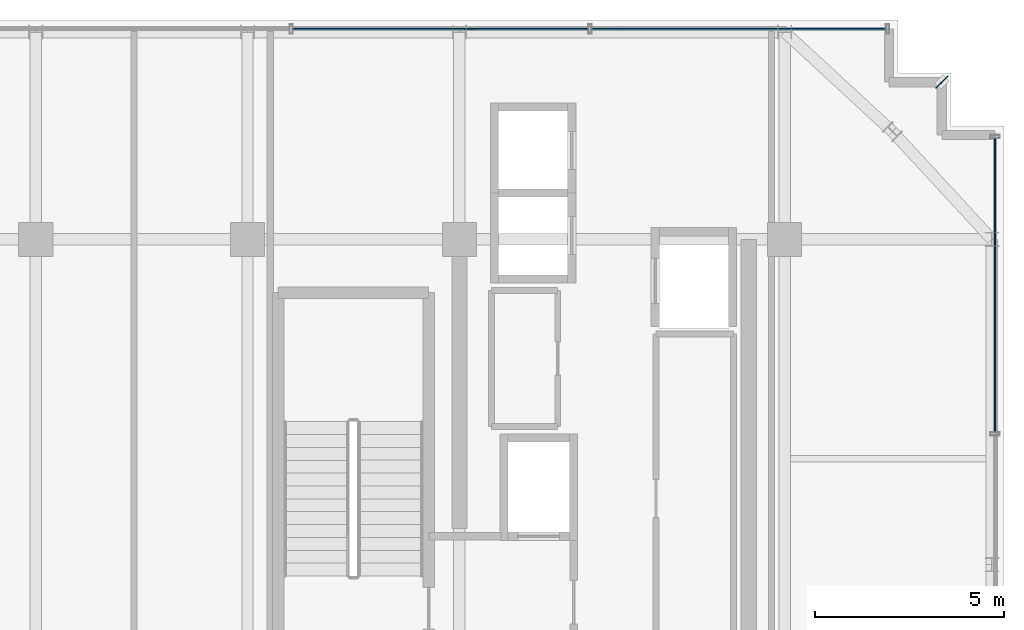
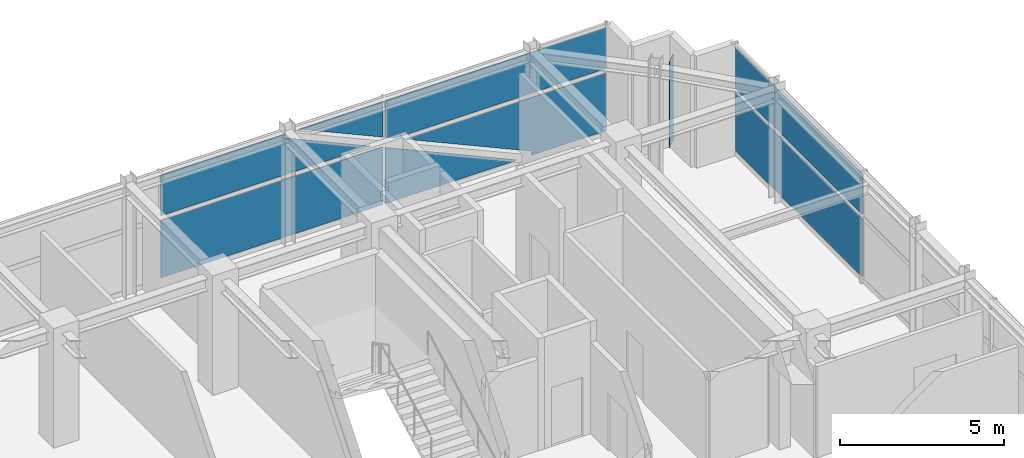
# One storey, part 21 of 26: 7 plates, 2 elements without a shape of their own.
"""IFC4 building model written with IfcOpenShell, lengths in metres."""

from ifc_helpers import new_model, si_unit, direction, frame, origin, origin_2d, place, context, subcontext, project, spatial, polyline, rectangle, outline, extrude, source, transform, mapped, material, layer, layer_set, type_object, element, aggregate, save


model = new_model("IFC4")

# Units and contexts
model_context = context("Model", 3, precision=1e-05, world=origin(), true_north=direction((0.0, 1.0)))
body_context = subcontext(model_context, "Body", "Model", "MODEL_VIEW")
ifc_project = project(units=[si_unit("LENGTHUNIT", "METRE"), si_unit("AREAUNIT", "SQUARE_METRE"), si_unit("VOLUMEUNIT", "CUBIC_METRE"), si_unit("PLANEANGLEUNIT", "RADIAN"), si_unit("MASSUNIT", "GRAM", prefix="KILO")], contexts=[model_context])

# Site, building, storey
site_placement = place(None, origin())
site = spatial("IfcSite", under=ifc_project, at=site_placement, CompositionType="ELEMENT")
building_placement = place(site_placement, origin())
building = spatial("IfcBuilding", under=site, at=building_placement, Name="Nahalor Promenade Grand Hotel", CompositionType="ELEMENT")
storey_placement = place(building_placement, frame((0.0, 0.0, 343.050048828125)))
storey = spatial("IfcBuildingStorey", under=building, at=storey_placement, Name="L88", CompositionType="ELEMENT", Elevation=343.050048828125)

# Curtain wall, plates
ifc_material_1 = material(Name="Anodised Bronze Aluminium EN AW-6063 T6", Category="aluminium")
curtain_wall_type = type_object("IfcCurtainWallType", Name="CW5 Sky-Lobby & Observation Panoramic Curtain Wall", PredefinedType="USERDEFINED", material=ifc_material_1)
curtain_wall_1_placement = place(storey_placement, origin())
curtain_wall_1 = element("IfcCurtainWall", 1, at=curtain_wall_1_placement, inside=storey, type_object=curtain_wall_type, Name="L88 Curtain Wall CW-L88-N-1", ObjectType="UNITISED_CURTAIN_WALL", PredefinedType="USERDEFINED")
ifc_material_2 = material(Name="Low-E Laminated Solar Glass", Category="glass")
ifc_layer_1 = layer(ifc_material_2, 0.035888671875)
ifc_layer_set_1 = layer_set([ifc_layer_1], Name="Low-E Laminated Solar Glass")
plate_type_1 = type_object("IfcPlateType", Name="CWP5 Observation Acoustic Triple IGU 36mm", PredefinedType="CURTAIN_PANEL", material=ifc_layer_set_1)
plate_1_placement = place(storey_placement, frame((7.904052734375, 22.56005859375, 0.169921875), z_axis=(0.0, 0.0, 1.0), x_axis=(1.0, 0.0, 0.0)))
plate_1 = element("IfcPlate", 2, at=plate_1_placement, type_object=plate_type_1, Name="CW-L88-N-1 Glazing Panel 3-0", PredefinedType="CURTAIN_PANEL", context=body_context, shape_type="SweptSolid", body=[
    extrude(outline(polyline([(-3.909423828125, 0.0), (3.909423828125, 0.0), (3.909423828125, 2.1220703125), (3.8583984375, 2.14501953125), (-3.909423828125, 2.14501953125), (-3.909423828125, 0.0)])), frame((0.0, 0.01806640625, 0.0), z_axis=(0.0, -1.0, 0.0), x_axis=(1.0, 0.0, 0.0)), (0.0, 0.0, 1.0), 0.035888671875),
])
plate_2_placement = place(storey_placement, frame((7.904052734375, 22.56005859375, 2.48486328125), z_axis=(0.0, 0.0, 1.0), x_axis=(1.0, 0.0, 0.0)))
plate_2 = element("IfcPlate", 3, at=plate_2_placement, type_object=plate_type_1, Name="CW-L88-N-1 Glazing Panel 3-1", PredefinedType="CURTAIN_PANEL", context=body_context, shape_type="SweptSolid", body=[
    extrude(outline(polyline([(-3.909423828125, 1.514892578125), (-3.909423828125, 0.0), (3.480712890625, 0.0), (0.4013671875, 1.3857421875), (0.45947265625, 1.514892578125), (-3.909423828125, 1.514892578125)])), frame((0.0, 0.01806640625, 0.0), z_axis=(0.0, -1.0, 0.0), x_axis=(1.0, 0.0, 0.0)), (0.0, 0.0, 1.0), 0.035888671875),
    extrude(outline(polyline([(3.909423828125, 0.19091796875), (3.909423828125, 1.514892578125), (0.966796875, 1.514892578125), (3.909423828125, 0.19091796875)])), frame((0.0, 0.01806640625, 0.0), z_axis=(0.0, -1.0, 0.0), x_axis=(1.0, 0.0, 0.0)), (0.0, 0.0, 1.0), 0.035888671875),
])
plate_3_placement = place(storey_placement, frame((15.786865234375, 22.56005859375, 0.169921875), z_axis=(0.0, 0.0, 1.0), x_axis=(1.0, 0.0, 0.0)))
plate_3 = element("IfcPlate", 4, at=plate_3_placement, type_object=plate_type_1, Name="CW-L88-N-1 Glazing Panel 4-0", PredefinedType="CURTAIN_PANEL", context=body_context, shape_type="SweptSolid", body=[
    extrude(outline(polyline([(-3.88818359375, 2.083740234375), (-3.88818359375, 0.0), (0.742431640625, 0.0), (-3.88818359375, 2.083740234375)])), frame((0.0, 0.01806640625, 0.0), z_axis=(0.0, -1.0, 0.0), x_axis=(1.0, 0.0, 0.0)), (0.0, 0.0, 1.0), 0.035888671875),
    extrude(outline(polyline([(3.88818359375, 0.0), (3.88818359375, 2.14501953125), (-3.17138671875, 2.14501953125), (1.307861328125, 0.12939453125), (1.249755859375, 0.0), (3.88818359375, 0.0)])), frame((0.0, 0.01806640625, 0.0), z_axis=(0.0, -1.0, 0.0), x_axis=(1.0, 0.0, 0.0)), (0.0, 0.0, 1.0), 0.035888671875),
])
plate_4_placement = place(storey_placement, frame((15.786865234375, 22.56005859375, 2.48486328125), z_axis=(0.0, 0.0, 1.0), x_axis=(1.0, 0.0, 0.0)))
plate_4 = element("IfcPlate", 5, at=plate_4_placement, type_object=plate_type_1, Name="CW-L88-N-1 Glazing Panel 4-1", PredefinedType="CURTAIN_PANEL", context=body_context, shape_type="SweptSolid", body=[
    extrude(outline(polyline([(3.88818359375, 1.514892578125), (-3.88818359375, 1.514892578125), (-3.88818359375, 0.152587890625), (-3.549072265625, 0.0), (3.88818359375, 0.0), (3.88818359375, 1.514892578125)])), frame((0.0, 0.01806640625, 0.0), z_axis=(0.0, -1.0, 0.0), x_axis=(1.0, 0.0, 0.0)), (0.0, 0.0, 1.0), 0.035888671875),
])
aggregate(curtain_wall_1, [plate_1, plate_2, plate_3, plate_4])

# Plate
ifc_layer_2 = layer(ifc_material_1, 0.02001953125)
ifc_layer_set_2 = layer_set([ifc_layer_2], Name="Anodised Bronze Aluminium EN AW-6063 T6")
plate_type_2 = type_object("IfcPlateType", Name="Plate-CornerFin-20", PredefinedType="SHEET", material=ifc_layer_set_2)
shared_shape_1 = source(origin(), body_context, "Body", "SweptSolid", [
    extrude(rectangle(XDim=0.449951171875, YDim=0.02001953125, at=origin_2d()), origin(), (0.0, 0.0, 1.0), 3.199951171875),
])
plate_5_placement = place(storey_placement, frame((21.159912109375, 21.159912109375, 0.0), z_axis=(0.0, 0.0, 1.0), x_axis=(0.707106781187, 0.707106781187, 0.0)))
element("IfcPlate", 6, at=plate_5_placement, inside=storey, type_object=plate_type_2, Name="FIN-L88-NE", PredefinedType="SHEET", context=body_context, shape_type="MappedRepresentation", body=[
    mapped(shared_shape_1, transform((0.0, 0.0, 0.0), scale=1.0)),
])

# Curtain wall, plates
curtain_wall_2_placement = place(storey_placement, origin())
curtain_wall_2 = element("IfcCurtainWall", 7, at=curtain_wall_2_placement, inside=storey, type_object=curtain_wall_type, Name="L88 Curtain Wall CW-L88-E-1", ObjectType="UNITISED_CURTAIN_WALL", PredefinedType="USERDEFINED")
shared_shape_2 = source(origin(), body_context, "Body", "SweptSolid", [
    extrude(rectangle(XDim=7.776611328125, YDim=0.035888671875, at=origin_2d()), origin(), (0.0, 0.0, 1.0), 2.14501953125),
])
plate_6_placement = place(storey_placement, frame((22.56005859375, 15.786865234375, 0.169921875), z_axis=(0.0, 0.0, 1.0), x_axis=(0.0, 1.0, 0.0)))
plate_6 = element("IfcPlate", 8, at=plate_6_placement, type_object=plate_type_1, Name="CW-L88-E-1 Glazing Panel 4-0", PredefinedType="CURTAIN_PANEL", context=body_context, shape_type="MappedRepresentation", body=[
    mapped(shared_shape_2, transform((0.0, 0.0, 0.0), scale=1.0)),
])
shared_shape_3 = source(origin(), body_context, "Body", "SweptSolid", [
    extrude(rectangle(XDim=7.776611328125, YDim=0.035888671875, at=origin_2d()), origin(), (0.0, 0.0, 1.0), 1.514892578125),
])
plate_7_placement = place(storey_placement, frame((22.56005859375, 15.786865234375, 2.48486328125), z_axis=(0.0, 0.0, 1.0), x_axis=(0.0, 1.0, 0.0)))
plate_7 = element("IfcPlate", 9, at=plate_7_placement, type_object=plate_type_1, Name="CW-L88-E-1 Glazing Panel 4-1", PredefinedType="CURTAIN_PANEL", context=body_context, shape_type="MappedRepresentation", body=[
    mapped(shared_shape_3, transform((0.0, 0.0, 0.0), scale=1.0)),
])
aggregate(curtain_wall_2, [plate_6, plate_7])

save(model, "model.ifc")
